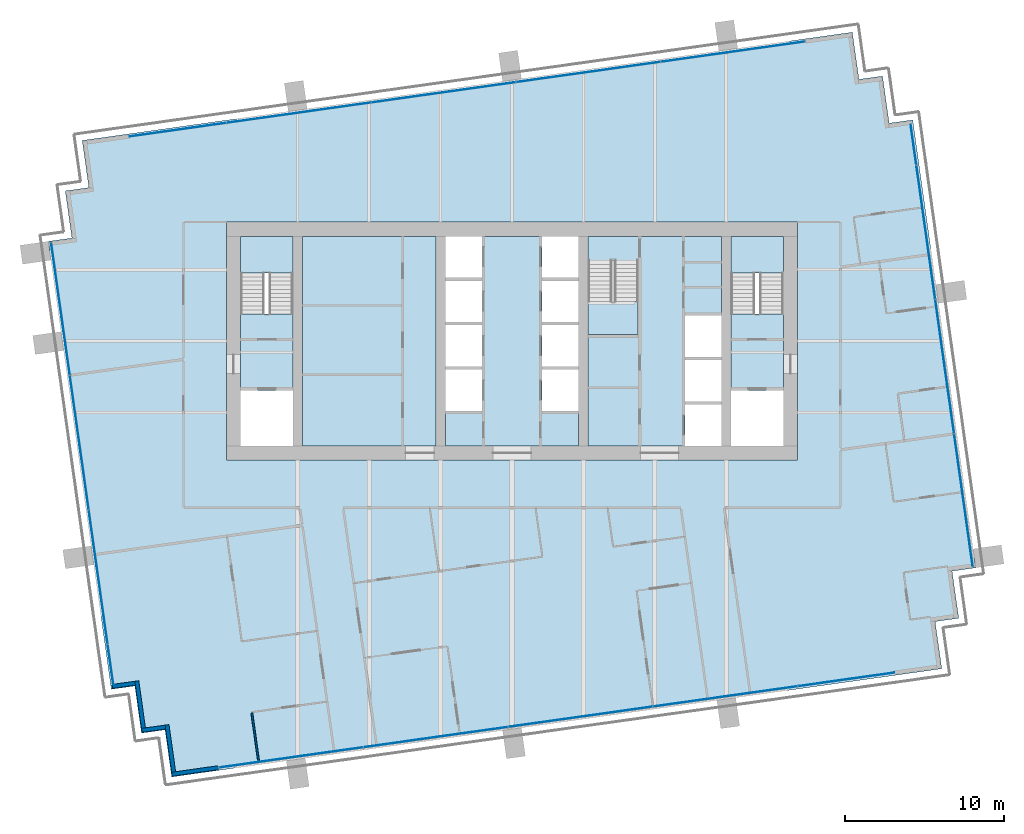
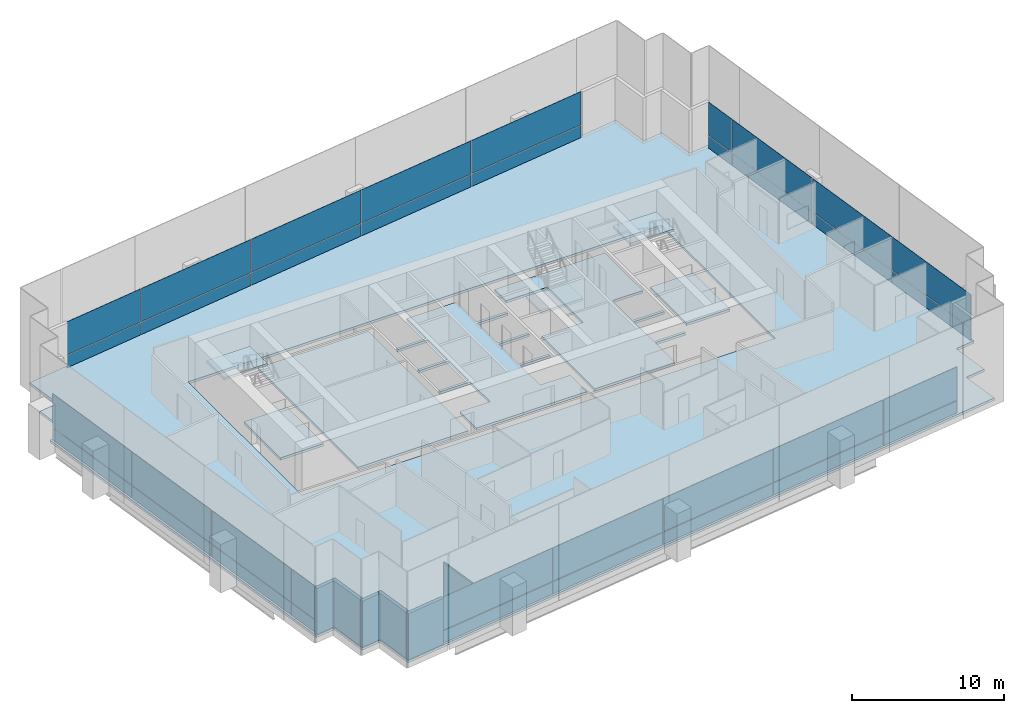
# One storey, part 8 of 17: 36 plates, 9 slabs, 6 walls, 7 elements without a shape of their own.
"""IFC4 building model written with IfcOpenShell, lengths in metres."""

from ifc_helpers import new_model, si_unit, direction, frame, frame_2d, origin, origin_2d, place, context, subcontext, project, spatial, polyline, rectangle, outline, extrude, material, layer, layer_set, type_object, element, aggregate, save


model = new_model("IFC4")

# Units and contexts
model_context = context("Model", 3, precision=1e-05, world=origin(), true_north=direction((0.0, 1.0)))
body_context = subcontext(model_context, "Body", "Model", "MODEL_VIEW")
ifc_project = project(units=[si_unit("LENGTHUNIT", "METRE"), si_unit("AREAUNIT", "SQUARE_METRE"), si_unit("VOLUMEUNIT", "CUBIC_METRE"), si_unit("PLANEANGLEUNIT", "RADIAN"), si_unit("MASSUNIT", "GRAM", prefix="KILO")], contexts=[model_context])

# Site, building, storey
site_placement = place(None, origin())
site = spatial("IfcSite", under=ifc_project, at=site_placement, CompositionType="ELEMENT")
building_placement = place(site_placement, origin())
building = spatial("IfcBuilding", under=site, at=building_placement, Name="Rattan Terrace Tower", CompositionType="ELEMENT")
storey_placement = place(building_placement, frame((0.0, 0.0, 180.199951171875)))
storey = spatial("IfcBuildingStorey", under=building, at=storey_placement, Name="L41", CompositionType="ELEMENT", Elevation=180.199951171875)

# Stair, slab
ifc_material_1 = material(Name="Concrete C40/50", Category="concrete")
stair_type = type_object("IfcStairType", Name="Core exit stair 1500", PredefinedType="HALF_TURN_STAIR", material=ifc_material_1)
stair_1_placement = place(storey_placement, origin())
stair_1 = element("IfcStair", 1, at=stair_1_placement, inside=storey, type_object=stair_type, Name="L41 exit stair 1", PredefinedType="HALF_TURN_STAIR")
ifc_material_2 = material(Name="Concrete C40/50", Category="concrete")
ifc_layer_1 = layer(ifc_material_2, 0.199951171875)
ifc_layer_set_1 = layer_set([ifc_layer_1], Name="Core exit stair landing")
slab_type_1 = type_object("IfcSlabType", Name="Core exit stair landing", PredefinedType="LANDING", material=ifc_layer_set_1)
slab_1_placement = place(storey_placement, frame((0.0, 0.0, 1.75)))
slab_1 = element("IfcSlab", 2, at=slab_1_placement, type_object=slab_type_1, Name="S1 landing 1", PredefinedType="LANDING", context=body_context, shape_type="SweptSolid", body=[
    extrude(outline(polyline([(-13.800048828125, 4.300048828125), (-13.800048828125, 6.60009765625), (-17.10009765625, 6.60009765625), (-17.10009765625, 4.300048828125), (-13.800048828125, 4.300048828125)])), origin(), (0.0, 0.0, 1.0), 0.199951171875),
])
aggregate(stair_1, [slab_1])

stair_2_placement = place(storey_placement, origin())
stair_2 = element("IfcStair", 3, at=stair_2_placement, inside=storey, type_object=stair_type, Name="L41 exit stair 2", PredefinedType="HALF_TURN_STAIR")
slab_2_placement = place(storey_placement, frame((0.0, 0.0, 1.75)))
slab_2 = element("IfcSlab", 4, at=slab_2_placement, type_object=slab_type_1, Name="S2 landing 1", PredefinedType="LANDING", context=body_context, shape_type="SweptSolid", body=[
    extrude(outline(polyline([(17.10009765625, 4.300048828125), (17.10009765625, 6.60009765625), (13.800048828125, 6.60009765625), (13.800048828125, 4.300048828125), (17.10009765625, 4.300048828125)])), origin(), (0.0, 0.0, 1.0), 0.199951171875),
])
aggregate(stair_2, [slab_2])

stair_3_placement = place(storey_placement, origin())
stair_3 = element("IfcStair", 5, at=stair_3_placement, inside=storey, type_object=stair_type, Name="L41 exit stair 3", PredefinedType="HALF_TURN_STAIR")
slab_3_placement = place(storey_placement, frame((0.0, 0.0, 1.75)))
slab_3 = element("IfcSlab", 6, at=slab_3_placement, type_object=slab_type_1, Name="S3 landing 1", PredefinedType="LANDING", context=body_context, shape_type="SweptSolid", body=[
    extrude(outline(polyline([(4.800048828125, 2.5), (4.800048828125, 0.39990234375), (7.949951171875, 0.39990234375), (7.949951171875, 2.5), (4.800048828125, 2.5)])), origin(), (0.0, 0.0, 1.0), 0.199951171875),
])
aggregate(stair_3, [slab_3])

# Curtain wall, plates
ifc_material_3 = material(Name="Aluminium and glass", Category="aluminium")
curtain_wall_type = type_object("IfcCurtainWallType", Name="Facade Unitised Curtain Wall", PredefinedType="NOTDEFINED", material=ifc_material_3)
curtain_wall_1_placement = place(storey_placement, origin())
curtain_wall_1 = element("IfcCurtainWall", 7, at=curtain_wall_1_placement, inside=storey, type_object=curtain_wall_type, Name="Curtain wall L41-1", PredefinedType="NOTDEFINED")
ifc_material_4 = material(Name="Aluminium insulated spandrel panel", Category="aluminium")
ifc_layer_2 = layer(ifc_material_4, 0.028076171875)
ifc_layer_set_2 = layer_set([ifc_layer_2], Name="Facade CW Spandrel Panel")
plate_type_1 = type_object("IfcPlateType", Name="Facade CW Spandrel Panel", PredefinedType="CURTAIN_PANEL", material=ifc_layer_set_2)
plate_1_placement = place(storey_placement, frame((28.447509765625, -10.037109375, 0.0), z_axis=(0.0, 0.0, 1.0), x_axis=(-0.139190856006, 0.99026557327, 0.0)))
plate_1 = element("IfcPlate", 8, at=plate_1_placement, type_object=plate_type_1, Name="Panel cwl-L41-001.1.1", PredefinedType="CURTAIN_PANEL", context=body_context, shape_type="SweptSolid", body=[
    extrude(rectangle(XDim=8.4150390625, YDim=0.028076171875, at=origin_2d()), origin(), (0.0, 0.0, 1.0), 0.969970703125),
])
plate_2_placement = place(storey_placement, frame((27.262451171875, -1.607421875, 0.0), z_axis=(0.0, 0.0, 1.0), x_axis=(-0.139190856006, 0.99026557327, 0.0)))
plate_2 = element("IfcPlate", 9, at=plate_2_placement, type_object=plate_type_1, Name="Panel cwl-L41-001.2.1", PredefinedType="CURTAIN_PANEL", context=body_context, shape_type="SweptSolid", body=[
    extrude(rectangle(XDim=8.489990234375, YDim=0.028076171875, at=origin_2d()), origin(), (0.0, 0.0, 1.0), 0.969970703125),
])
plate_3_placement = place(storey_placement, frame((26.072509765625, 6.859375, 0.0), z_axis=(0.0, 0.0, 1.0), x_axis=(-0.139190856006, 0.99026557327, 0.0)))
plate_3 = element("IfcPlate", 10, at=plate_3_placement, type_object=plate_type_1, Name="Panel cwl-L41-001.3.1", PredefinedType="CURTAIN_PANEL", context=body_context, shape_type="SweptSolid", body=[
    extrude(rectangle(XDim=8.489990234375, YDim=0.028076171875, at=origin_2d()), origin(), (0.0, 0.0, 1.0), 0.969970703125),
])
plate_4_placement = place(storey_placement, frame((25.29736328125, 12.372802734375, 0.0), z_axis=(0.0, 0.0, 1.0), x_axis=(-0.139190856006, 0.99026557327, 0.0)))
plate_4 = element("IfcPlate", 11, at=plate_4_placement, type_object=plate_type_1, Name="Panel cwl-L41-001.4.1", PredefinedType="CURTAIN_PANEL", context=body_context, shape_type="SweptSolid", body=[
    extrude(rectangle(XDim=2.525390625, YDim=0.028076171875, at=origin_2d()), origin(), (0.0, 0.0, 1.0), 0.969970703125),
])

curtain_wall_2_placement = place(storey_placement, origin())
curtain_wall_2 = element("IfcCurtainWall", 12, at=curtain_wall_2_placement, inside=storey, type_object=curtain_wall_type, Name="Curtain wall L41-2", PredefinedType="NOTDEFINED")
plate_5_placement = place(storey_placement, frame((13.920166015625, 18.233642578125, 0.0), z_axis=(0.0, 0.0, 1.0), x_axis=(-0.990269702686, -0.139161474347, 0.0)))
plate_5 = element("IfcPlate", 13, at=plate_5_placement, type_object=plate_type_1, Name="Panel cwl-L41-002.1.1", PredefinedType="CURTAIN_PANEL", context=body_context, shape_type="SweptSolid", body=[
    extrude(rectangle(XDim=9.123046875, YDim=0.028076171875, at=origin_2d()), origin(), (0.0, 0.0, 1.0), 0.969970703125),
])
plate_6_placement = place(storey_placement, frame((4.8115234375, 16.95361328125, 0.0), z_axis=(0.0, 0.0, 1.0), x_axis=(-0.990269702686, -0.139161474347, 0.0)))
plate_6 = element("IfcPlate", 14, at=plate_6_placement, type_object=plate_type_1, Name="Panel cwl-L41-002.2.1", PredefinedType="CURTAIN_PANEL", context=body_context, shape_type="SweptSolid", body=[
    extrude(rectangle(XDim=9.153076171875, YDim=0.028076171875, at=origin_2d()), origin(), (0.0, 0.0, 1.0), 0.969970703125),
])
plate_7_placement = place(storey_placement, frame((-4.311767578125, 15.67138671875, 0.0), z_axis=(0.0, 0.0, 1.0), x_axis=(-0.990269702686, -0.139161474347, 0.0)))
plate_7 = element("IfcPlate", 15, at=plate_7_placement, type_object=plate_type_1, Name="Panel cwl-L41-002.3.1", PredefinedType="CURTAIN_PANEL", context=body_context, shape_type="SweptSolid", body=[
    extrude(rectangle(XDim=9.153076171875, YDim=0.028076171875, at=origin_2d()), origin(), (0.0, 0.0, 1.0), 0.969970703125),
])
plate_8_placement = place(storey_placement, frame((-13.43505859375, 14.389404296875, 0.0), z_axis=(0.0, 0.0, 1.0), x_axis=(-0.990269702686, -0.139161474347, 0.0)))
plate_8 = element("IfcPlate", 16, at=plate_8_placement, type_object=plate_type_1, Name="Panel cwl-L41-002.4.1", PredefinedType="CURTAIN_PANEL", context=body_context, shape_type="SweptSolid", body=[
    extrude(rectangle(XDim=9.153076171875, YDim=0.028076171875, at=origin_2d()), origin(), (0.0, 0.0, 1.0), 0.969970703125),
])
plate_9_placement = place(storey_placement, frame((-21.055908203125, 13.318359375, 0.0), z_axis=(0.0, 0.0, 1.0), x_axis=(-0.990269702686, -0.139161474347, 0.0)))
plate_9 = element("IfcPlate", 17, at=plate_9_placement, type_object=plate_type_1, Name="Panel cwl-L41-002.5.1", PredefinedType="CURTAIN_PANEL", context=body_context, shape_type="SweptSolid", body=[
    extrude(rectangle(XDim=6.118408203125, YDim=0.028076171875, at=origin_2d()), origin(), (0.0, 0.0, 1.0), 0.969970703125),
])

curtain_wall_3_placement = place(storey_placement, origin())
curtain_wall_3 = element("IfcCurtainWall", 18, at=curtain_wall_3_placement, inside=storey, type_object=curtain_wall_type, Name="Curtain wall L41-3", PredefinedType="NOTDEFINED")
plate_10_placement = place(storey_placement, frame((-28.447509765625, 2.037109375, 0.0), z_axis=(0.0, 0.0, 1.0), x_axis=(0.139190856006, -0.99026557327, 0.0)))
plate_10 = element("IfcPlate", 19, at=plate_10_placement, type_object=plate_type_1, Name="Panel cwl-L41-003.1.1", PredefinedType="CURTAIN_PANEL", context=body_context, shape_type="SweptSolid", body=[
    extrude(rectangle(XDim=8.4150390625, YDim=0.028076171875, at=origin_2d()), origin(), (0.0, 0.0, 1.0), 0.969970703125),
])
plate_11_placement = place(storey_placement, frame((-27.262451171875, -6.392578125, 0.0), z_axis=(0.0, 0.0, 1.0), x_axis=(0.139190856006, -0.99026557327, 0.0)))
plate_11 = element("IfcPlate", 20, at=plate_11_placement, type_object=plate_type_1, Name="Panel cwl-L41-003.2.1", PredefinedType="CURTAIN_PANEL", context=body_context, shape_type="SweptSolid", body=[
    extrude(rectangle(XDim=8.489990234375, YDim=0.028076171875, at=origin_2d()), origin(), (0.0, 0.0, 1.0), 0.969970703125),
])
plate_12_placement = place(storey_placement, frame((-26.072509765625, -14.859375, 0.0), z_axis=(0.0, 0.0, 1.0), x_axis=(0.139190856006, -0.99026557327, 0.0)))
plate_12 = element("IfcPlate", 21, at=plate_12_placement, type_object=plate_type_1, Name="Panel cwl-L41-003.3.1", PredefinedType="CURTAIN_PANEL", context=body_context, shape_type="SweptSolid", body=[
    extrude(rectangle(XDim=8.489990234375, YDim=0.028076171875, at=origin_2d()), origin(), (0.0, 0.0, 1.0), 0.969970703125),
])
plate_13_placement = place(storey_placement, frame((-25.29736328125, -20.372802734375, 0.0), z_axis=(0.0, 0.0, 1.0), x_axis=(0.139190856006, -0.99026557327, 0.0)))
plate_13 = element("IfcPlate", 22, at=plate_13_placement, type_object=plate_type_1, Name="Panel cwl-L41-003.4.1", PredefinedType="CURTAIN_PANEL", context=body_context, shape_type="SweptSolid", body=[
    extrude(rectangle(XDim=2.525390625, YDim=0.028076171875, at=origin_2d()), origin(), (0.0, 0.0, 1.0), 0.969970703125),
])

curtain_wall_4_placement = place(storey_placement, origin())
curtain_wall_4 = element("IfcCurtainWall", 23, at=curtain_wall_4_placement, inside=storey, type_object=curtain_wall_type, Name="Curtain wall L41-4", PredefinedType="NOTDEFINED")
plate_14_placement = place(storey_placement, frame((-13.920166015625, -26.233642578125, 0.0), z_axis=(0.0, 0.0, 1.0), x_axis=(0.990269702686, 0.139161474347, 0.0)))
plate_14 = element("IfcPlate", 24, at=plate_14_placement, type_object=plate_type_1, Name="Panel cwl-L41-004.1.1", PredefinedType="CURTAIN_PANEL", context=body_context, shape_type="SweptSolid", body=[
    extrude(rectangle(XDim=9.123046875, YDim=0.028076171875, at=origin_2d()), origin(), (0.0, 0.0, 1.0), 0.969970703125),
])
plate_15_placement = place(storey_placement, frame((-4.8115234375, -24.95361328125, 0.0), z_axis=(0.0, 0.0, 1.0), x_axis=(0.990269702686, 0.139161474347, 0.0)))
plate_15 = element("IfcPlate", 25, at=plate_15_placement, type_object=plate_type_1, Name="Panel cwl-L41-004.2.1", PredefinedType="CURTAIN_PANEL", context=body_context, shape_type="SweptSolid", body=[
    extrude(rectangle(XDim=9.153076171875, YDim=0.028076171875, at=origin_2d()), origin(), (0.0, 0.0, 1.0), 0.969970703125),
])
plate_16_placement = place(storey_placement, frame((4.311767578125, -23.67138671875, 0.0), z_axis=(0.0, 0.0, 1.0), x_axis=(0.990269702686, 0.139161474347, 0.0)))
plate_16 = element("IfcPlate", 26, at=plate_16_placement, type_object=plate_type_1, Name="Panel cwl-L41-004.3.1", PredefinedType="CURTAIN_PANEL", context=body_context, shape_type="SweptSolid", body=[
    extrude(rectangle(XDim=9.153076171875, YDim=0.028076171875, at=origin_2d()), origin(), (0.0, 0.0, 1.0), 0.969970703125),
])
plate_17_placement = place(storey_placement, frame((13.43505859375, -22.389404296875, 0.0), z_axis=(0.0, 0.0, 1.0), x_axis=(0.990269702686, 0.139161474347, 0.0)))
plate_17 = element("IfcPlate", 27, at=plate_17_placement, type_object=plate_type_1, Name="Panel cwl-L41-004.4.1", PredefinedType="CURTAIN_PANEL", context=body_context, shape_type="SweptSolid", body=[
    extrude(rectangle(XDim=9.153076171875, YDim=0.028076171875, at=origin_2d()), origin(), (0.0, 0.0, 1.0), 0.969970703125),
])
plate_18_placement = place(storey_placement, frame((21.055908203125, -21.318359375, 0.0), z_axis=(0.0, 0.0, 1.0), x_axis=(0.990269702686, 0.139161474347, 0.0)))
plate_18 = element("IfcPlate", 28, at=plate_18_placement, type_object=plate_type_1, Name="Panel cwl-L41-004.5.1", PredefinedType="CURTAIN_PANEL", context=body_context, shape_type="SweptSolid", body=[
    extrude(rectangle(XDim=6.118408203125, YDim=0.028076171875, at=origin_2d()), origin(), (0.0, 0.0, 1.0), 0.969970703125),
])

# Plate
ifc_material_5 = material(Name="Clear low-iron glass", Category="glass")
ifc_layer_3 = layer(ifc_material_5, 0.028076171875)
ifc_layer_set_3 = layer_set([ifc_layer_3], Name="Facade CW Vision Panel")
plate_type_2 = type_object("IfcPlateType", Name="Facade CW Vision Panel", PredefinedType="CURTAIN_PANEL", material=ifc_layer_set_3)
plate_19_placement = place(storey_placement, frame((28.447509765625, -10.037109375, 1.030029296875), z_axis=(0.0, 0.0, 1.0), x_axis=(-0.139190856006, 0.99026557327, 0.0)))
plate_19 = element("IfcPlate", 29, at=plate_19_placement, type_object=plate_type_2, Name="Panel cwl-L41-001.1.2", PredefinedType="CURTAIN_PANEL", context=body_context, shape_type="SweptSolid", body=[
    extrude(rectangle(XDim=8.4150390625, YDim=0.028076171875, at=origin_2d()), origin(), (0.0, 0.0, 1.0), 2.669921875),
])

plate_20_placement = place(storey_placement, frame((27.262451171875, -1.607421875, 1.030029296875), z_axis=(0.0, 0.0, 1.0), x_axis=(-0.139190856006, 0.99026557327, 0.0)))
plate_20 = element("IfcPlate", 30, at=plate_20_placement, type_object=plate_type_2, Name="Panel cwl-L41-001.2.2", PredefinedType="CURTAIN_PANEL", context=body_context, shape_type="SweptSolid", body=[
    extrude(rectangle(XDim=8.489990234375, YDim=0.028076171875, at=origin_2d()), origin(), (0.0, 0.0, 1.0), 2.669921875),
])

plate_21_placement = place(storey_placement, frame((26.072509765625, 6.859375, 1.030029296875), z_axis=(0.0, 0.0, 1.0), x_axis=(-0.139190856006, 0.99026557327, 0.0)))
plate_21 = element("IfcPlate", 31, at=plate_21_placement, type_object=plate_type_2, Name="Panel cwl-L41-001.3.2", PredefinedType="CURTAIN_PANEL", context=body_context, shape_type="SweptSolid", body=[
    extrude(rectangle(XDim=8.489990234375, YDim=0.028076171875, at=origin_2d()), origin(), (0.0, 0.0, 1.0), 2.669921875),
])

plate_22_placement = place(storey_placement, frame((25.29736328125, 12.372802734375, 1.030029296875), z_axis=(0.0, 0.0, 1.0), x_axis=(-0.139190856006, 0.99026557327, 0.0)))
plate_22 = element("IfcPlate", 32, at=plate_22_placement, type_object=plate_type_2, Name="Panel cwl-L41-001.4.2", PredefinedType="CURTAIN_PANEL", context=body_context, shape_type="SweptSolid", body=[
    extrude(rectangle(XDim=2.525390625, YDim=0.028076171875, at=origin_2d()), origin(), (0.0, 0.0, 1.0), 2.669921875),
])

aggregate(curtain_wall_1, [plate_1, plate_19, plate_2, plate_20, plate_3, plate_21, plate_4, plate_22])

plate_23_placement = place(storey_placement, frame((13.920166015625, 18.233642578125, 1.030029296875), z_axis=(0.0, 0.0, 1.0), x_axis=(-0.990269702686, -0.139161474347, 0.0)))
plate_23 = element("IfcPlate", 33, at=plate_23_placement, type_object=plate_type_2, Name="Panel cwl-L41-002.1.2", PredefinedType="CURTAIN_PANEL", context=body_context, shape_type="SweptSolid", body=[
    extrude(rectangle(XDim=9.123046875, YDim=0.028076171875, at=origin_2d()), origin(), (0.0, 0.0, 1.0), 2.669921875),
])

plate_24_placement = place(storey_placement, frame((4.8115234375, 16.95361328125, 1.030029296875), z_axis=(0.0, 0.0, 1.0), x_axis=(-0.990269702686, -0.139161474347, 0.0)))
plate_24 = element("IfcPlate", 34, at=plate_24_placement, type_object=plate_type_2, Name="Panel cwl-L41-002.2.2", PredefinedType="CURTAIN_PANEL", context=body_context, shape_type="SweptSolid", body=[
    extrude(rectangle(XDim=9.153076171875, YDim=0.028076171875, at=origin_2d()), origin(), (0.0, 0.0, 1.0), 2.669921875),
])

plate_25_placement = place(storey_placement, frame((-4.311767578125, 15.67138671875, 1.030029296875), z_axis=(0.0, 0.0, 1.0), x_axis=(-0.990269702686, -0.139161474347, 0.0)))
plate_25 = element("IfcPlate", 35, at=plate_25_placement, type_object=plate_type_2, Name="Panel cwl-L41-002.3.2", PredefinedType="CURTAIN_PANEL", context=body_context, shape_type="SweptSolid", body=[
    extrude(rectangle(XDim=9.153076171875, YDim=0.028076171875, at=origin_2d()), origin(), (0.0, 0.0, 1.0), 2.669921875),
])

plate_26_placement = place(storey_placement, frame((-13.43505859375, 14.389404296875, 1.030029296875), z_axis=(0.0, 0.0, 1.0), x_axis=(-0.990269702686, -0.139161474347, 0.0)))
plate_26 = element("IfcPlate", 36, at=plate_26_placement, type_object=plate_type_2, Name="Panel cwl-L41-002.4.2", PredefinedType="CURTAIN_PANEL", context=body_context, shape_type="SweptSolid", body=[
    extrude(rectangle(XDim=9.153076171875, YDim=0.028076171875, at=origin_2d()), origin(), (0.0, 0.0, 1.0), 2.669921875),
])

plate_27_placement = place(storey_placement, frame((-21.055908203125, 13.318359375, 1.030029296875), z_axis=(0.0, 0.0, 1.0), x_axis=(-0.990269702686, -0.139161474347, 0.0)))
plate_27 = element("IfcPlate", 37, at=plate_27_placement, type_object=plate_type_2, Name="Panel cwl-L41-002.5.2", PredefinedType="CURTAIN_PANEL", context=body_context, shape_type="SweptSolid", body=[
    extrude(rectangle(XDim=6.118408203125, YDim=0.028076171875, at=origin_2d()), origin(), (0.0, 0.0, 1.0), 2.669921875),
])

aggregate(curtain_wall_2, [plate_5, plate_23, plate_6, plate_24, plate_7, plate_25, plate_8, plate_26, plate_9, plate_27])

plate_28_placement = place(storey_placement, frame((-28.447509765625, 2.037109375, 1.030029296875), z_axis=(0.0, 0.0, 1.0), x_axis=(0.139190856006, -0.99026557327, 0.0)))
plate_28 = element("IfcPlate", 38, at=plate_28_placement, type_object=plate_type_2, Name="Panel cwl-L41-003.1.2", PredefinedType="CURTAIN_PANEL", context=body_context, shape_type="SweptSolid", body=[
    extrude(rectangle(XDim=8.4150390625, YDim=0.028076171875, at=origin_2d()), origin(), (0.0, 0.0, 1.0), 2.669921875),
])

plate_29_placement = place(storey_placement, frame((-27.262451171875, -6.392578125, 1.030029296875), z_axis=(0.0, 0.0, 1.0), x_axis=(0.139190856006, -0.99026557327, 0.0)))
plate_29 = element("IfcPlate", 39, at=plate_29_placement, type_object=plate_type_2, Name="Panel cwl-L41-003.2.2", PredefinedType="CURTAIN_PANEL", context=body_context, shape_type="SweptSolid", body=[
    extrude(rectangle(XDim=8.489990234375, YDim=0.028076171875, at=origin_2d()), origin(), (0.0, 0.0, 1.0), 2.669921875),
])

plate_30_placement = place(storey_placement, frame((-26.072509765625, -14.859375, 1.030029296875), z_axis=(0.0, 0.0, 1.0), x_axis=(0.139190856006, -0.99026557327, 0.0)))
plate_30 = element("IfcPlate", 40, at=plate_30_placement, type_object=plate_type_2, Name="Panel cwl-L41-003.3.2", PredefinedType="CURTAIN_PANEL", context=body_context, shape_type="SweptSolid", body=[
    extrude(rectangle(XDim=8.489990234375, YDim=0.028076171875, at=origin_2d()), origin(), (0.0, 0.0, 1.0), 2.669921875),
])

plate_31_placement = place(storey_placement, frame((-25.29736328125, -20.372802734375, 1.030029296875), z_axis=(0.0, 0.0, 1.0), x_axis=(0.139190856006, -0.99026557327, 0.0)))
plate_31 = element("IfcPlate", 41, at=plate_31_placement, type_object=plate_type_2, Name="Panel cwl-L41-003.4.2", PredefinedType="CURTAIN_PANEL", context=body_context, shape_type="SweptSolid", body=[
    extrude(rectangle(XDim=2.525390625, YDim=0.028076171875, at=origin_2d()), origin(), (0.0, 0.0, 1.0), 2.669921875),
])

aggregate(curtain_wall_3, [plate_10, plate_28, plate_11, plate_29, plate_12, plate_30, plate_13, plate_31])

plate_32_placement = place(storey_placement, frame((-13.920166015625, -26.233642578125, 1.030029296875), z_axis=(0.0, 0.0, 1.0), x_axis=(0.990269702686, 0.139161474347, 0.0)))
plate_32 = element("IfcPlate", 42, at=plate_32_placement, type_object=plate_type_2, Name="Panel cwl-L41-004.1.2", PredefinedType="CURTAIN_PANEL", context=body_context, shape_type="SweptSolid", body=[
    extrude(rectangle(XDim=9.123046875, YDim=0.028076171875, at=origin_2d()), origin(), (0.0, 0.0, 1.0), 2.669921875),
])

plate_33_placement = place(storey_placement, frame((-4.8115234375, -24.95361328125, 1.030029296875), z_axis=(0.0, 0.0, 1.0), x_axis=(0.990269702686, 0.139161474347, 0.0)))
plate_33 = element("IfcPlate", 43, at=plate_33_placement, type_object=plate_type_2, Name="Panel cwl-L41-004.2.2", PredefinedType="CURTAIN_PANEL", context=body_context, shape_type="SweptSolid", body=[
    extrude(rectangle(XDim=9.153076171875, YDim=0.028076171875, at=origin_2d()), origin(), (0.0, 0.0, 1.0), 2.669921875),
])

plate_34_placement = place(storey_placement, frame((4.311767578125, -23.67138671875, 1.030029296875), z_axis=(0.0, 0.0, 1.0), x_axis=(0.990269702686, 0.139161474347, 0.0)))
plate_34 = element("IfcPlate", 44, at=plate_34_placement, type_object=plate_type_2, Name="Panel cwl-L41-004.3.2", PredefinedType="CURTAIN_PANEL", context=body_context, shape_type="SweptSolid", body=[
    extrude(rectangle(XDim=9.153076171875, YDim=0.028076171875, at=origin_2d()), origin(), (0.0, 0.0, 1.0), 2.669921875),
])

plate_35_placement = place(storey_placement, frame((13.43505859375, -22.389404296875, 1.030029296875), z_axis=(0.0, 0.0, 1.0), x_axis=(0.990269702686, 0.139161474347, 0.0)))
plate_35 = element("IfcPlate", 45, at=plate_35_placement, type_object=plate_type_2, Name="Panel cwl-L41-004.4.2", PredefinedType="CURTAIN_PANEL", context=body_context, shape_type="SweptSolid", body=[
    extrude(rectangle(XDim=9.153076171875, YDim=0.028076171875, at=origin_2d()), origin(), (0.0, 0.0, 1.0), 2.669921875),
])

plate_36_placement = place(storey_placement, frame((21.055908203125, -21.318359375, 1.030029296875), z_axis=(0.0, 0.0, 1.0), x_axis=(0.990269702686, 0.139161474347, 0.0)))
plate_36 = element("IfcPlate", 46, at=plate_36_placement, type_object=plate_type_2, Name="Panel cwl-L41-004.5.2", PredefinedType="CURTAIN_PANEL", context=body_context, shape_type="SweptSolid", body=[
    extrude(rectangle(XDim=6.118408203125, YDim=0.028076171875, at=origin_2d()), origin(), (0.0, 0.0, 1.0), 2.669921875),
])

aggregate(curtain_wall_4, [plate_14, plate_32, plate_15, plate_33, plate_16, plate_34, plate_17, plate_35, plate_18, plate_36])

# Slabs
ifc_material_6 = material(Name="Concrete C35/45", Category="concrete")
ifc_layer_4 = layer(ifc_material_6, 0.199951171875)
ifc_layer_set_4 = layer_set([ifc_layer_4], Name="Frame composite floor slab 200")
slab_type_2 = type_object("IfcSlabType", Name="Frame composite floor slab 200", PredefinedType="FLOOR", material=ifc_layer_set_4)
slab_4_placement = place(storey_placement, frame((0.0, 0.0, -0.199951171875)))
element("IfcSlab", 47, at=slab_4_placement, inside=storey, type_object=slab_type_2, Name="Floor slab", PredefinedType="FLOOR", context=body_context, shape_type="SweptSolid", body=[
    extrude(outline(polyline([(-18.472900390625, -27.044921875), (24.10888671875, -21.06103515625), (27.080078125, -20.64306640625), (26.662109375, -17.672119140625), (28.14794921875, -17.464111328125), (27.72998046875, -14.492919921875), (29.216064453125, -14.283935546875), (25.2490234375, 13.93896484375), (23.763916015625, 13.72998046875), (23.345947265625, 16.700927734375), (21.861083984375, 16.491943359375), (21.443115234375, 19.462890625), (18.472900390625, 19.044921875), (-24.10888671875, 13.06103515625), (-27.080078125, 12.64306640625), (-26.662109375, 9.672119140625), (-28.14794921875, 9.464111328125), (-27.72998046875, 6.492919921875), (-29.216064453125, 6.283935546875), (-25.2490234375, -21.93896484375), (-23.763916015625, -21.72998046875), (-23.345947265625, -24.700927734375), (-21.861083984375, -24.491943359375), (-21.443115234375, -27.462890625), (-18.472900390625, -27.044921875)]), holes=[polyline([(-18.0, -7.5), (18.0, -7.5), (18.0, -6.60009765625), (18.0, 6.60009765625), (18.0, 7.5), (-18.0, 7.5), (-18.0, 6.60009765625), (-18.0, -6.60009765625), (-18.0, -7.5)])]), origin(), (0.0, 0.0, 1.0), 0.199951171875),
])
slab_5_placement = place(storey_placement, frame((0.0, 0.0, -0.199951171875)))
element("IfcSlab", 48, at=slab_5_placement, inside=storey, type_object=slab_type_2, Name="Floor slab", PredefinedType="FLOOR", context=body_context, shape_type="SweptSolid", body=[
    extrude(outline(polyline([(13.199951171875, 6.60009765625), (4.800048828125, 6.60009765625), (4.800048828125, 5.090087890625), (7.949951171875, 5.090087890625), (7.949951171875, 0.39990234375), (4.800048828125, 0.39990234375), (4.800048828125, -6.60009765625), (10.89990234375, -6.60009765625), (10.89990234375, -4.0), (13.199951171875, -4.0), (13.199951171875, -3.800048828125), (10.89990234375, -3.800048828125), (10.89990234375, -1.199951171875), (13.199951171875, -1.199951171875), (13.199951171875, -1.0), (10.89990234375, -1.0), (10.89990234375, 1.60009765625), (13.199951171875, 1.60009765625), (13.199951171875, 6.60009765625)])), origin(), (0.0, 0.0, 1.0), 0.199951171875),
])
slab_6_placement = place(storey_placement, frame((0.0, 0.0, -0.199951171875)))
element("IfcSlab", 49, at=slab_6_placement, inside=storey, type_object=slab_type_2, Name="Floor slab", PredefinedType="FLOOR", context=body_context, shape_type="SweptSolid", body=[
    extrude(outline(polyline([(1.89990234375, 6.60009765625), (-1.89990234375, 6.60009765625), (-1.89990234375, 4.0), (-4.199951171875, 4.0), (-4.199951171875, 3.800048828125), (-1.89990234375, 3.800048828125), (-1.89990234375, 1.199951171875), (-4.199951171875, 1.199951171875), (-4.199951171875, 1.0), (-1.89990234375, 1.0), (-1.89990234375, -1.60009765625), (-4.199951171875, -1.60009765625), (-4.199951171875, -1.800048828125), (-1.89990234375, -1.800048828125), (-1.89990234375, -4.39990234375), (-4.199951171875, -4.39990234375), (-4.199951171875, -6.60009765625), (4.199951171875, -6.60009765625), (4.199951171875, -4.39990234375), (1.89990234375, -4.39990234375), (1.89990234375, -1.800048828125), (4.199951171875, -1.800048828125), (4.199951171875, -1.60009765625), (1.89990234375, -1.60009765625), (1.89990234375, 1.0), (4.199951171875, 1.0), (4.199951171875, 1.199951171875), (1.89990234375, 1.199951171875), (1.89990234375, 3.800048828125), (4.199951171875, 3.800048828125), (4.199951171875, 4.0), (1.89990234375, 4.0), (1.89990234375, 6.60009765625)])), origin(), (0.0, 0.0, 1.0), 0.199951171875),
])
slab_7_placement = place(storey_placement, frame((0.0, 0.0, -0.199951171875)))
element("IfcSlab", 50, at=slab_7_placement, inside=storey, type_object=slab_type_2, Name="Floor slab", PredefinedType="FLOOR", context=body_context, shape_type="SweptSolid", body=[
    extrude(outline(polyline([(-17.10009765625, -3.10009765625), (-13.800048828125, -3.10009765625), (-13.800048828125, 1.7099609375), (-17.10009765625, 1.7099609375), (-17.10009765625, -3.10009765625)])), origin(), (0.0, 0.0, 1.0), 0.199951171875),
])
slab_8_placement = place(storey_placement, frame((0.0, 0.0, -0.199951171875)))
element("IfcSlab", 51, at=slab_8_placement, inside=storey, type_object=slab_type_2, Name="Floor slab", PredefinedType="FLOOR", context=body_context, shape_type="SweptSolid", body=[
    extrude(outline(polyline([(-4.800048828125, -6.60009765625), (-4.800048828125, 6.60009765625), (-13.199951171875, 6.60009765625), (-13.199951171875, -6.60009765625), (-4.800048828125, -6.60009765625)])), origin(), (0.0, 0.0, 1.0), 0.199951171875),
])
slab_9_placement = place(storey_placement, frame((0.0, 0.0, -0.199951171875)))
element("IfcSlab", 52, at=slab_9_placement, inside=storey, type_object=slab_type_2, Name="Floor slab", PredefinedType="FLOOR", context=body_context, shape_type="SweptSolid", body=[
    extrude(outline(polyline([(13.800048828125, -3.10009765625), (17.10009765625, -3.10009765625), (17.10009765625, 1.7099609375), (13.800048828125, 1.7099609375), (13.800048828125, -3.10009765625)])), origin(), (0.0, 0.0, 1.0), 0.199951171875),
])

# Walls
ifc_material_7 = material(Name="Insulated aluminium-clad stud wall", Category="aluminium")
ifc_layer_5 = layer(ifc_material_7, 0.25)
ifc_layer_set_5 = layer_set([ifc_layer_5], Name="Facade Riser Wall 250")
wall_type_1 = type_object("IfcWallType", Name="Facade Riser Wall 250", PredefinedType="SOLIDWALL", material=ifc_layer_set_5)
wall_1_placement = place(storey_placement, frame((-25.18359375, -21.758056640625, 0.0), z_axis=(0.0, 0.0, 1.0), x_axis=(0.9902493448, 0.13930626376, 0.0)))
element("IfcWall", 53, at=wall_1_placement, inside=storey, type_object=wall_type_1, Name="Riser wall L41-16", PredefinedType="SOLIDWALL", context=body_context, shape_type="SweptSolid", body=[
    extrude(rectangle(XDim=1.45458984375, YDim=0.25, at=frame_2d((0.727294921875, 0.0))), origin(), (0.0, 0.0, 1.0), 3.699951171875),
])
wall_2_placement = place(storey_placement, frame((-23.63671875, -21.414306640625, 0.0), z_axis=(0.0, 0.0, 1.0), x_axis=(0.139313431826, -0.990248336385, 0.0)))
element("IfcWall", 54, at=wall_2_placement, inside=storey, type_object=wall_type_1, Name="Riser wall L41-17", PredefinedType="SOLIDWALL", context=body_context, shape_type="SweptSolid", body=[
    extrude(rectangle(XDim=3.000244140625, YDim=0.25, at=frame_2d((1.5, 0.0))), origin(), (0.0, 0.0, 1.0), 3.699951171875),
])
wall_3_placement = place(storey_placement, frame((-23.3251953125, -24.5263671875, 0.0), z_axis=(0.0, 0.0, 1.0), x_axis=(0.990243596651, 0.13934711799, 0.0)))
element("IfcWall", 55, at=wall_3_placement, inside=storey, type_object=wall_type_1, Name="Riser wall L41-18", PredefinedType="SOLIDWALL", context=body_context, shape_type="SweptSolid", body=[
    extrude(rectangle(XDim=1.499755859375, YDim=0.25, at=frame_2d((0.75, 0.0))), origin(), (0.0, 0.0, 1.0), 3.699951171875),
])
wall_4_placement = place(storey_placement, frame((-21.733642578125, -24.17626953125, 0.0), z_axis=(0.0, 0.0, 1.0), x_axis=(0.139313431826, -0.990248336385, 0.0)))
element("IfcWall", 56, at=wall_4_placement, inside=storey, type_object=wall_type_1, Name="Riser wall L41-19", PredefinedType="SOLIDWALL", context=body_context, shape_type="SweptSolid", body=[
    extrude(rectangle(XDim=3.000244140625, YDim=0.25, at=frame_2d((1.5, 0.0))), origin(), (0.0, 0.0, 1.0), 3.699951171875),
])
wall_5_placement = place(storey_placement, frame((-21.422119140625, -27.288330078125, 0.0), z_axis=(0.0, 0.0, 1.0), x_axis=(0.990246427036, 0.139327002919, 0.0)))
element("IfcWall", 57, at=wall_5_placement, inside=storey, type_object=wall_type_1, Name="Riser wall L41-20", PredefinedType="SOLIDWALL", context=body_context, shape_type="SweptSolid", body=[
    extrude(rectangle(XDim=2.954345703125, YDim=0.25, at=frame_2d((1.47705078125, 0.0))), origin(), (0.0, 0.0, 1.0), 3.699951171875),
])
ifc_material_8 = material(Name="Gypsum board partition on steel studs", Category="steel")
ifc_layer_6 = layer(ifc_material_8, 0.10009765625)
ifc_layer_set_6 = layer_set([ifc_layer_6], Name="Floors Partition 100")
wall_type_2 = type_object("IfcWallType", Name="Floors Partition 100", PredefinedType="PARTITIONING", material=ifc_layer_set_6)
wall_6_placement = place(storey_placement, frame((-16.39404296875, -23.430908203125, 0.0), z_axis=(0.0, 0.0, 1.0), x_axis=(0.139333854614, -0.990245462983, 0.0)))
element("IfcWall", 58, at=wall_6_placement, inside=storey, type_object=wall_type_2, Name="pt-L41-025", PredefinedType="PARTITIONING", context=body_context, shape_type="SweptSolid", body=[
    extrude(rectangle(XDim=3.029541015625, YDim=0.10009765625, at=frame_2d((1.5146484375, 0.0))), origin(), (0.0, 0.0, 1.0), 3.699951171875),
])

save(model, "model.ifc")
